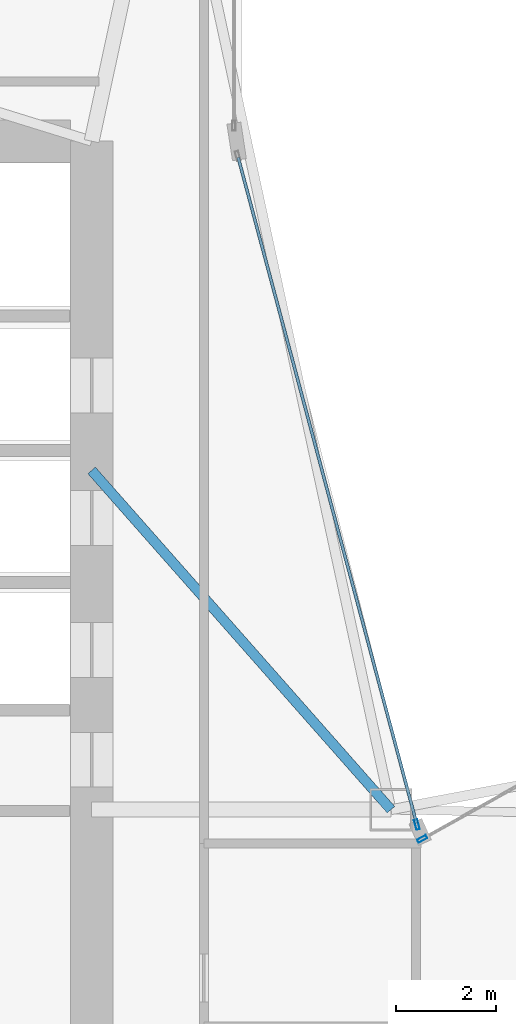
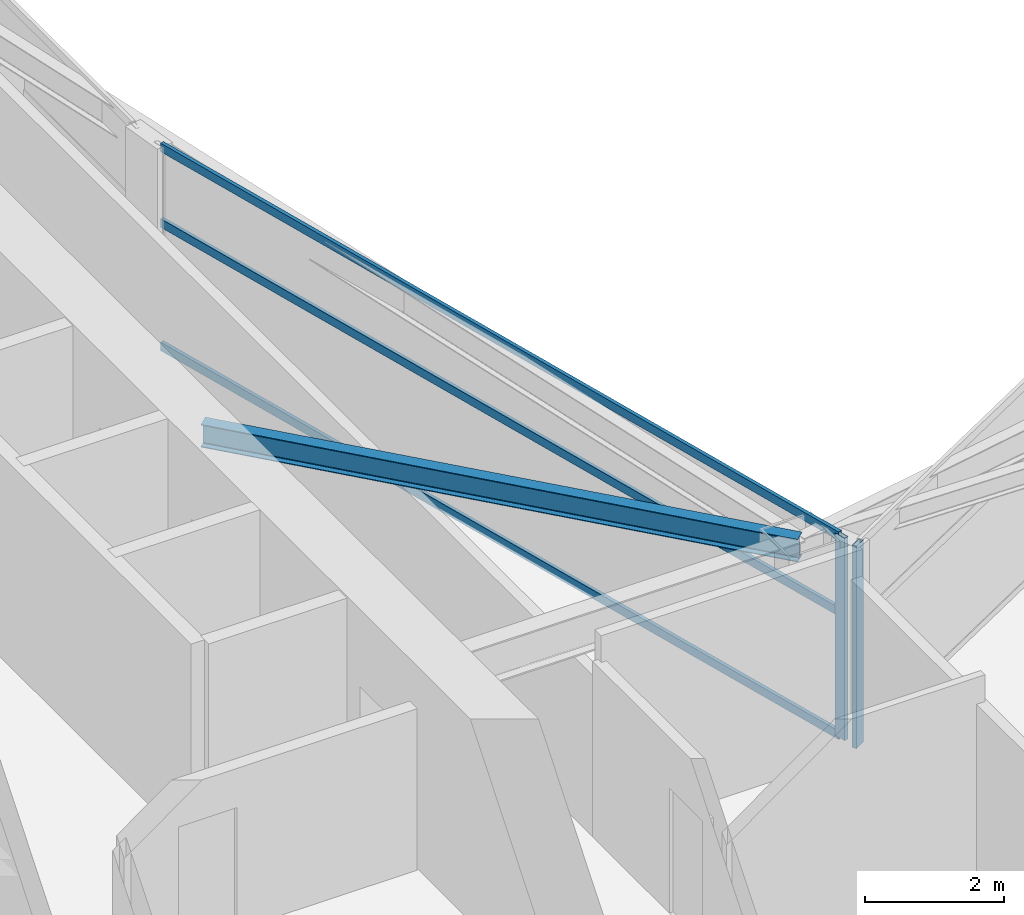
# One storey, part 10 of 29: 5 members, 1 beam, 2 elements without a shape of their own.
"""IFC4 building model written with IfcOpenShell, lengths in metres."""

import ifcopenshell
import ifcopenshell.guid

model = None  # the IFC model being written
_history = None  # IfcOwnerHistory: only IFC2X3 demands one
_inside = {}  # id of a spatial element -> (the spatial element, [elements in it])
_under = {}  # id of a project, library or spatial element -> (it, [spatial elements below it])
_declared = {}  # id of a project -> (the project, [libraries it declares])
_typed = {}  # id of a type object -> (the type object, [elements of that type])
_made_of = {}  # id of a material, layer set ... -> (it, [elements and type objects made of it])


def new_model(schema):
    """Start an empty IFC model of exactly this schema.

    Asked for "IFC4X3", IfcOpenShell would pick the latest addendum, in which some entities
    have other attributes; the version numbers below select the first issue.
    IFC2X3 requires an IfcOwnerHistory on every rooted entity: one is made here for all.
    """
    global model, _history
    if schema == "IFC4X3":
        model = ifcopenshell.file(schema_version=(4, 3, 0, 0))
    else:
        model = ifcopenshell.file(schema=schema)
    _inside.clear()
    _under.clear()
    _declared.clear()
    _typed.clear()
    _made_of.clear()
    _history = None
    if model.schema == "IFC2X3":
        org = make("IfcOrganization", Name="unknown")
        user = make(
            "IfcPersonAndOrganization",
            ThePerson=make("IfcPerson", FamilyName="unknown"),
            TheOrganization=org,
        )
        app = make(
            "IfcApplication",
            ApplicationDeveloper=org,
            Version="unknown",
            ApplicationFullName="unknown",
            ApplicationIdentifier="unknown",
        )
        _history = make(
            "IfcOwnerHistory",
            OwningUser=user,
            OwningApplication=app,
            ChangeAction="ADDED",
            CreationDate=0,
        )
    return model


def make(cls, **values):
    """One entity of the class cls with the attributes given. An attribute that is None is left unset."""
    return model.create_entity(
        cls, **{name: value for name, value in values.items() if value is not None}
    )


def rooted(cls, **values):
    """An entity with a GlobalId (a new one), such as an element, a storey or a relation."""
    return make(cls, GlobalId=ifcopenshell.guid.new(), OwnerHistory=_history, **values)


def si_unit(unit_type, name, prefix=None):
    """IfcSIUnit, for example si_unit("LENGTHUNIT", "METRE", prefix="MILLI")."""
    return make("IfcSIUnit", UnitType=unit_type, Prefix=prefix, Name=name)


def assignment(units):
    """IfcUnitAssignment: the units of a project."""
    return None if units is None else make("IfcUnitAssignment", Units=units)


def point(xyz):
    """IfcCartesianPoint."""
    return None if xyz is None else make("IfcCartesianPoint", Coordinates=xyz)


def direction(xyz):
    """IfcDirection."""
    return None if xyz is None else make("IfcDirection", DirectionRatios=xyz)


def frame(location, z_axis=None, x_axis=None):
    """IfcAxis2Placement3D, a coordinate frame: its origin and axes. An axis left out is left unset."""
    return make(
        "IfcAxis2Placement3D",
        Location=point(location),
        Axis=direction(z_axis),
        RefDirection=direction(x_axis),
    )


def frame_2d(location, x_axis=None):
    """IfcAxis2Placement2D, a coordinate frame in the plane: its origin and x axis."""
    return make(
        "IfcAxis2Placement2D", Location=point(location), RefDirection=direction(x_axis)
    )


def origin():
    """The frame at (0, 0, 0) with its axes left unset."""
    return frame((0.0, 0.0, 0.0))


def origin_2d():
    """The frame at (0, 0) in the plane with its x axis left unset."""
    return frame_2d((0.0, 0.0))


def place(relative_to, where):
    """IfcLocalPlacement: puts the frame where relative to a parent placement (None: the world)."""
    return make(
        "IfcLocalPlacement", PlacementRelTo=relative_to, RelativePlacement=where
    )


def context(
    kind, dimensions, precision=None, world=None, true_north=None, identifier=None
):
    """IfcGeometricRepresentationContext, for example the 3D "Model" context."""
    return make(
        "IfcGeometricRepresentationContext",
        ContextIdentifier=identifier,
        ContextType=kind,
        CoordinateSpaceDimension=dimensions,
        Precision=precision,
        WorldCoordinateSystem=world,
        TrueNorth=true_north,
    )


def subcontext(parent, identifier, kind, view, scale=None):
    """IfcGeometricRepresentationSubContext, for example "Body" below "Model"."""
    return make(
        "IfcGeometricRepresentationSubContext",
        ContextIdentifier=identifier,
        ContextType=kind,
        ParentContext=parent,
        TargetScale=scale,
        TargetView=view,
    )


def project(units=None, contexts=None):
    """IfcProject with its units and contexts."""
    return rooted(
        "IfcProject",
        Name="project",
        RepresentationContexts=contexts,
        UnitsInContext=assignment(units),
    )


def spatial(cls, under=None, at=None, **own):
    """A site, building, storey or space (cls), placed at a placement, below another one or the project."""
    s = rooted(cls, ObjectPlacement=at, **own)
    if under is not None:
        _under.setdefault(under.id(), (under, []))[1].append(s)
    return s


def profile(cls, at=None, kind="AREA", **sizes):
    """A parametric profile (cls). Its sizes go by their IFC names, for example OverallWidth=200.0."""
    return make(cls, ProfileType=kind, Position=at, **sizes)


def hollow_rectangle(**sizes):
    """IfcRectangleHollowProfileDef."""
    return profile("IfcRectangleHollowProfileDef", **sizes)


def i_section(**sizes):
    """IfcIShapeProfileDef."""
    return profile("IfcIShapeProfileDef", **sizes)


def extrude(swept, where, along, depth):
    """IfcExtrudedAreaSolid: the profile swept, set in the frame where, extruded along a direction by depth."""
    return make(
        "IfcExtrudedAreaSolid",
        SweptArea=swept,
        Position=where,
        ExtrudedDirection=direction(along),
        Depth=depth,
    )


def shape(context_of_items, identifier, shape_type, items):
    """IfcShapeRepresentation: the items that make up one representation, for example the "Body"."""
    return make(
        "IfcShapeRepresentation",
        ContextOfItems=context_of_items,
        RepresentationIdentifier=identifier,
        RepresentationType=shape_type,
        Items=items,
    )


def material(Name=None, Category=None):
    """IfcMaterial."""
    return make("IfcMaterial", Name=Name, Category=Category)


def layer(
    of_material, thickness, ventilated=None, Name=None, Category=None, Priority=None
):
    """IfcMaterialLayer: one layer of a wall or slab, of a material (None: an air gap)."""
    return make(
        "IfcMaterialLayer",
        Material=of_material,
        LayerThickness=thickness,
        IsVentilated=ventilated,
        Name=Name,
        Category=Category,
        Priority=Priority,
    )


def layer_set(layers, Name=None):
    """IfcMaterialLayerSet."""
    return make("IfcMaterialLayerSet", MaterialLayers=layers, LayerSetName=Name)


def material_profile(
    of_material, cross_section, Name=None, Category=None, Priority=None
):
    """IfcMaterialProfile: a cross section and its material."""
    return make(
        "IfcMaterialProfile",
        Name=Name,
        Material=of_material,
        Profile=cross_section,
        Priority=Priority,
        Category=Category,
    )


def profile_set(profiles, Name=None, composite=None):
    """IfcMaterialProfileSet."""
    return make(
        "IfcMaterialProfileSet",
        Name=Name,
        MaterialProfiles=profiles,
        CompositeProfile=composite,
    )


def made_of(thing, what):
    """Note that an element or type object is made of a material, layer set ...; save() writes the relation."""
    if what is not None:
        _made_of.setdefault(what.id(), (what, []))[1].append(thing)
    return thing


def type_object(cls, material=None, **own):
    """A type object (cls), such as IfcWallType, which elements share."""
    return made_of(rooted(cls, **own), material)


def element(
    cls,
    number,
    at=None,
    inside=None,
    cuts=None,
    type_object=None,
    material=None,
    context=None,
    identifier="Body",
    shape_type=None,
    held_by="IfcProductDefinitionShape",
    body=None,
    shapes=None,
    **own,
):
    """One element of the class cls, such as IfcWall. Its Tag is "e" and its number.

    at: its placement. inside: the storey or other place that contains it. cuts: it is an
    opening in that element (IfcRelVoidsElement). A single representation is given by context,
    identifier, shape_type and body (its items); several are given by shapes. held_by: the class
    of the entity that holds the representations. save() writes the other relations.
    """
    e = rooted(cls, Tag="e%d" % number, ObjectPlacement=at, **own)
    if body is not None:
        shapes = [shape(context, identifier, shape_type, body)]
    if shapes is not None:
        e.Representation = make(held_by, Representations=shapes)
    if inside is not None:
        _inside.setdefault(inside.id(), (inside, []))[1].append(e)
    if cuts is not None:
        rooted(
            "IfcRelVoidsElement", RelatingBuildingElement=cuts, RelatedOpeningElement=e
        )
    if type_object is not None:
        _typed.setdefault(type_object.id(), (type_object, []))[1].append(e)
    return made_of(e, material)


def aggregate(whole, parts):
    """IfcRelAggregates: a whole, such as a stair, and the parts it consists of."""
    return rooted("IfcRelAggregates", RelatingObject=whole, RelatedObjects=parts)


def save(model, path):
    """Write the relations noted so far, then the file.

    IfcRelAggregates (storeys below a building ...), IfcRelContainedInSpatialStructure (elements
    in a storey), IfcRelDefinesByType, IfcRelAssociatesMaterial and IfcRelDeclares: one each for
    every whole, place, type object, material and project.
    """
    for whole, parts in _under.values():
        aggregate(whole, parts)
    for where, things in _inside.values():
        rooted(
            "IfcRelContainedInSpatialStructure",
            RelatedElements=things,
            RelatingStructure=where,
        )
    for kind, things in _typed.values():
        rooted("IfcRelDefinesByType", RelatedObjects=things, RelatingType=kind)
    for what, things in _made_of.values():
        rooted("IfcRelAssociatesMaterial", RelatedObjects=things, RelatingMaterial=what)
    for by, libraries in _declared.values():
        rooted("IfcRelDeclares", RelatingContext=by, RelatedDefinitions=libraries)
    model.write(path)


model = new_model("IFC4")

# Units and contexts
model_context = context("Model", 3, precision=1e-05, world=origin(), true_north=direction((0.0, 1.0)))
body_context = subcontext(model_context, "Body", "Model", "MODEL_VIEW")
ifc_project = project(units=[si_unit("LENGTHUNIT", "METRE"), si_unit("AREAUNIT", "SQUARE_METRE"), si_unit("VOLUMEUNIT", "CUBIC_METRE"), si_unit("PLANEANGLEUNIT", "RADIAN"), si_unit("MASSUNIT", "GRAM", prefix="KILO")], contexts=[model_context])

# Site, building, storey
site_placement = place(None, origin())
site = spatial("IfcSite", under=ifc_project, at=site_placement, CompositionType="ELEMENT")
building_placement = place(site_placement, origin())
building = spatial("IfcBuilding", under=site, at=building_placement, Name="Calvorn Quay Hotel", CompositionType="ELEMENT")
storey_placement = place(building_placement, frame((0.0, 0.0, 124.0)))
storey = spatial("IfcBuildingStorey", under=building, at=storey_placement, Name="L30", CompositionType="ELEMENT", Elevation=124.0)

# Beam
ifc_material_1 = material(Name="Steel Q355B", Category="steel")
ifc_material_profile_1 = material_profile(ifc_material_1, i_section(OverallWidth=0.199951171875, OverallDepth=0.39990234375, WebThickness=0.008056640625, FlangeThickness=0.012939453125, FilletRadius=0.01611328125, at=origin_2d()), Name="HN400x200x8x13")
ifc_profile_set_1 = profile_set([ifc_material_profile_1], Name="Steel Q355B")
beam_type = type_object("IfcBeamType", Name="BM-JOIST-TYP", PredefinedType="JOIST", material=ifc_profile_set_1)
beam_placement = place(storey_placement, frame((15.0, 31.800048828125, 3.340087890625), z_axis=(0.661618965899, -0.749840212287, 0.0), x_axis=(0.749840212287, 0.661618965899, 0.0)))
element("IfcBeam", 1, at=beam_placement, inside=storey, type_object=beam_type, Name="Beam BJ-L30-C1", PredefinedType="JOIST", context=body_context, shape_type="SweptSolid", body=[
    extrude(i_section(OverallWidth=0.199951171875, OverallDepth=0.39990234375, WebThickness=0.008056640625, FlangeThickness=0.012939453125, FilletRadius=0.01611328125, at=origin_2d()), origin(), (0.0, 0.0, 1.0), 9.068603515625),
])

# Curtain wall, member
ifc_material_2 = material(Name="Pale Anodised Aluminium and Low-E Glass", Category="aluminium")
ifc_layer = layer(ifc_material_2, 0.219970703125)
ifc_layer_set = layer_set([ifc_layer], Name="CW-SYS-Z2")
curtain_wall_type = type_object("IfcCurtainWallType", Name="CW-SYS-Z2", PredefinedType="NOTDEFINED", material=ifc_layer_set)
curtain_wall_1_placement = place(storey_placement, origin())
curtain_wall_1 = element("IfcCurtainWall", 2, at=curtain_wall_1_placement, inside=storey, type_object=curtain_wall_type, Name="Inner Court Curtain Wall L30-NE1", PredefinedType="NOTDEFINED")
ifc_material_3 = material(Name="Pale Anodised Aluminium 6063-T6", Category="aluminium")
ifc_material_profile_2 = material_profile(ifc_material_3, hollow_rectangle(XDim=0.070068359375, YDim=0.199951171875, WallThickness=0.00390625, at=origin_2d()), Name="ALU-M200x70x4")
ifc_profile_set_2 = profile_set([ifc_material_profile_2], Name="Pale Anodised Aluminium 6063-T6")
member_type_1 = type_object("IfcMemberType", Name="CW-SYS-Z2-MUL", PredefinedType="MULLION", material=ifc_profile_set_2)
member_1_placement = place(storey_placement, frame((21.626220703125, 24.41455078125, 0.0), z_axis=(0.0, 0.0, 1.0), x_axis=(0.486858256224, -0.873480989116, 0.0)))
member_1 = element("IfcMember", 3, at=member_1_placement, type_object=member_type_1, Name="CW-L30-NE1 mullion 4", PredefinedType="MULLION", context=body_context, shape_type="SweptSolid", body=[
    extrude(hollow_rectangle(XDim=0.070068359375, YDim=0.199951171875, WallThickness=0.00390625, at=origin_2d()), origin(), (0.0, 0.0, 1.0), 3.56005859375),
])
aggregate(curtain_wall_1, [member_1])

# Curtain wall, members
curtain_wall_2_placement = place(storey_placement, origin())
curtain_wall_2 = element("IfcCurtainWall", 4, at=curtain_wall_2_placement, inside=storey, type_object=curtain_wall_type, Name="Inner Court Curtain Wall L30-IC1", PredefinedType="NOTDEFINED")
member_2_placement = place(storey_placement, frame((21.520263671875, 24.698974609375, 0.0), z_axis=(0.0, 0.0, 1.0), x_axis=(-0.96593652056, -0.25877913024, 0.0)))
member_2 = element("IfcMember", 5, at=member_2_placement, type_object=member_type_1, Name="CW-L30-IC1 mullion 1", PredefinedType="MULLION", context=body_context, shape_type="SweptSolid", body=[
    extrude(hollow_rectangle(XDim=0.070068359375, YDim=0.199951171875, WallThickness=0.00390625, at=origin_2d()), origin(), (0.0, 0.0, 1.0), 3.56005859375),
])
ifc_material_4 = material(Name="Pale Anodised Aluminium 6063-T6", Category="aluminium")
ifc_material_profile_3 = material_profile(ifc_material_4, hollow_rectangle(XDim=0.06005859375, YDim=0.14990234375, WallThickness=0.00341796875, at=origin_2d()), Name="ALU-T150x60x3.5")
ifc_profile_set_3 = profile_set([ifc_material_profile_3], Name="Pale Anodised Aluminium 6063-T6")
member_type_2 = type_object("IfcMemberType", Name="CW-SYS-Z2-TRN", PredefinedType="USERDEFINED", material=ifc_profile_set_3)
member_3_placement = place(storey_placement, frame((21.512451171875, 24.72802734375, 0.030029296875), z_axis=(-0.258781136883, 0.965935982969, 0.0), x_axis=(-0.965935982969, -0.258781136883, 0.0)))
member_3 = element("IfcMember", 6, at=member_3_placement, type_object=member_type_2, Name="CW-L30-IC1 transom 1.1", ObjectType="TRANSOM", PredefinedType="USERDEFINED", context=body_context, shape_type="SweptSolid", body=[
    extrude(hollow_rectangle(XDim=0.06005859375, YDim=0.14990234375, WallThickness=0.00341796875, at=origin_2d()), origin(), (0.0, 0.0, 1.0), 13.814453125),
])
member_4_placement = place(storey_placement, frame((21.512451171875, 24.72802734375, 2.199951171875), z_axis=(-0.258781136883, 0.965935982969, 0.0), x_axis=(-0.965935982969, -0.258781136883, 0.0)))
member_4 = element("IfcMember", 7, at=member_4_placement, type_object=member_type_2, Name="CW-L30-IC1 transom 1.2", ObjectType="TRANSOM", PredefinedType="USERDEFINED", context=body_context, shape_type="SweptSolid", body=[
    extrude(hollow_rectangle(XDim=0.06005859375, YDim=0.14990234375, WallThickness=0.00341796875, at=origin_2d()), origin(), (0.0, 0.0, 1.0), 13.814453125),
])
member_5_placement = place(storey_placement, frame((21.512451171875, 24.72802734375, 3.530029296875), z_axis=(-0.258781136883, 0.965935982969, 0.0), x_axis=(-0.965935982969, -0.258781136883, 0.0)))
member_5 = element("IfcMember", 8, at=member_5_placement, type_object=member_type_2, Name="CW-L30-IC1 transom 1.3", ObjectType="TRANSOM", PredefinedType="USERDEFINED", context=body_context, shape_type="SweptSolid", body=[
    extrude(hollow_rectangle(XDim=0.06005859375, YDim=0.14990234375, WallThickness=0.00341796875, at=origin_2d()), origin(), (0.0, 0.0, 1.0), 13.814453125),
])
aggregate(curtain_wall_2, [member_2, member_3, member_4, member_5])

save(model, "model.ifc")
